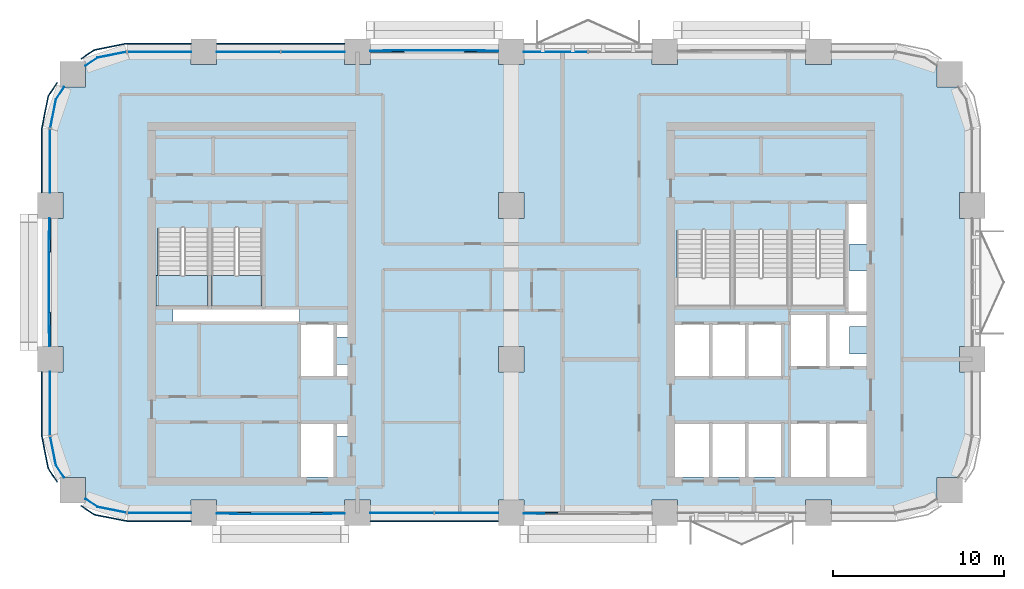
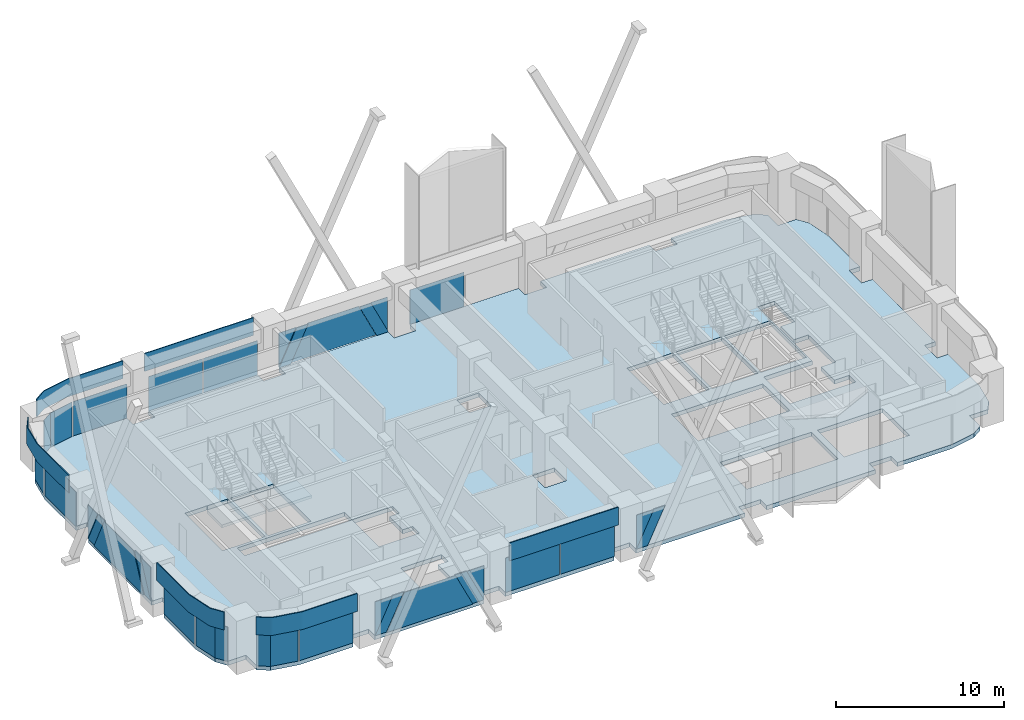
# One storey, part 7 of 14: 36 plates, 3 slabs, 13 elements without a shape of their own.
"""IFC4 building model written with IfcOpenShell, lengths in metres."""

from ifc_helpers import new_model, si_unit, direction, frame, origin, origin_2d, place, context, subcontext, project, spatial, polyline, rectangle, outline, extrude, material, layer, layer_set, type_object, element, aggregate, save


model = new_model("IFC4")

# Units and contexts
model_context = context("Model", 3, precision=1e-05, world=origin(), true_north=direction((0.0, 1.0)))
body_context = subcontext(model_context, "Body", "Model", "MODEL_VIEW")
ifc_project = project(units=[si_unit("LENGTHUNIT", "METRE"), si_unit("AREAUNIT", "SQUARE_METRE"), si_unit("VOLUMEUNIT", "CUBIC_METRE"), si_unit("PLANEANGLEUNIT", "RADIAN"), si_unit("MASSUNIT", "GRAM", prefix="KILO")], contexts=[model_context])

# Site, building, storey
site_placement = place(None, origin())
site = spatial("IfcSite", under=ifc_project, at=site_placement, CompositionType="ELEMENT")
building_placement = place(site_placement, origin())
building = spatial("IfcBuilding", under=site, at=building_placement, Name="Tessera Arch", CompositionType="ELEMENT")
storey_placement = place(building_placement, frame((0.0, 0.0, 150.5)))
storey = spatial("IfcBuildingStorey", under=building, at=storey_placement, Name="L35", CompositionType="ELEMENT", Elevation=150.5)

# Curtain wall, plate
ifc_material_1 = material(Name="CW1 curtain wall")
curtain_wall_type_1 = type_object("IfcCurtainWallType", Name="CW1 curtain wall", PredefinedType="NOTDEFINED", material=ifc_material_1)
curtain_wall_1_placement = place(storey_placement, origin())
curtain_wall_1 = element("IfcCurtainWall", 1, at=curtain_wall_1_placement, inside=storey, type_object=curtain_wall_type_1, Name="CW1 curtain wall N54.0/2 L35", PredefinedType="NOTDEFINED")
ifc_material_2 = material(Name="Clear low-e glass", Category="glass")
ifc_material_3 = material(Name="Clear low-e glass", Category="glass")
ifc_layer_1 = layer(ifc_material_3, 0.028076171875)
ifc_layer_set_1 = layer_set([ifc_layer_1], Name="CW1 glass panel")
plate_type_1 = type_object("IfcPlateType", Name="CW1 glass panel", PredefinedType="CURTAIN_PANEL", material=ifc_layer_set_1)
plate_1_placement = place(storey_placement, frame((29.610107421875, 54.0, 0.0), z_axis=(0.0, 0.0, 1.0), x_axis=(-1.0, 0.0, 0.0)))
plate_1 = element("IfcPlate", 2, at=plate_1_placement, type_object=plate_type_1, material=ifc_material_2, Name="CW1 glass panel N54.0/2 1.2.1", PredefinedType="CURTAIN_PANEL", context=body_context, shape_type="SweptSolid", body=[
    extrude(rectangle(XDim=3.719970703125, YDim=0.028076171875, at=origin_2d()), origin(), (0.0, 0.0, 1.0), 2.5),
])
aggregate(curtain_wall_1, [plate_1])

# Curtain wall, plates
curtain_wall_2_placement = place(storey_placement, origin())
curtain_wall_2 = element("IfcCurtainWall", 3, at=curtain_wall_2_placement, inside=storey, type_object=curtain_wall_type_1, Name="CW1 curtain wall N54.0/4 L35", PredefinedType="NOTDEFINED")
plate_2_placement = place(storey_placement, frame((15.389892578125, 54.0, 0.0), z_axis=(0.0, 0.0, 1.0), x_axis=(-1.0, 0.0, 0.0)))
plate_2 = element("IfcPlate", 4, at=plate_2_placement, type_object=plate_type_1, material=ifc_material_2, Name="CW1 glass panel N54.0/4 1.1.1", PredefinedType="CURTAIN_PANEL", context=body_context, shape_type="SweptSolid", body=[
    extrude(rectangle(XDim=3.719970703125, YDim=0.028076171875, at=origin_2d()), origin(), (0.0, 0.0, 1.0), 2.5),
])
plate_3_placement = place(storey_placement, frame((11.610107421875, 54.0, 0.0), z_axis=(0.0, 0.0, 1.0), x_axis=(-1.0, 0.0, 0.0)))
plate_3 = element("IfcPlate", 5, at=plate_3_placement, type_object=plate_type_1, material=ifc_material_2, Name="CW1 glass panel N54.0/4 1.2.1", PredefinedType="CURTAIN_PANEL", context=body_context, shape_type="SweptSolid", body=[
    extrude(rectangle(XDim=3.719970703125, YDim=0.028076171875, at=origin_2d()), origin(), (0.0, 0.0, 1.0), 2.5),
])

curtain_wall_3_placement = place(storey_placement, origin())
curtain_wall_3 = element("IfcCurtainWall", 6, at=curtain_wall_3_placement, inside=storey, type_object=curtain_wall_type_1, Name="CW1 curtain wall S27.0/2 L35", PredefinedType="NOTDEFINED")
plate_4_placement = place(storey_placement, frame((20.610107421875, 27.0, 0.0), z_axis=(0.0, 0.0, 1.0), x_axis=(1.0, 0.0, 0.0)))
plate_4 = element("IfcPlate", 7, at=plate_4_placement, type_object=plate_type_1, material=ifc_material_2, Name="CW1 glass panel S27.0/2 1.1.1", PredefinedType="CURTAIN_PANEL", context=body_context, shape_type="SweptSolid", body=[
    extrude(rectangle(XDim=3.719970703125, YDim=0.028076171875, at=origin_2d()), origin(), (0.0, 0.0, 1.0), 2.5),
])
plate_5_placement = place(storey_placement, frame((24.389892578125, 27.0, 0.0), z_axis=(0.0, 0.0, 1.0), x_axis=(1.0, 0.0, 0.0)))
plate_5 = element("IfcPlate", 8, at=plate_5_placement, type_object=plate_type_1, material=ifc_material_2, Name="CW1 glass panel S27.0/2 1.2.1", PredefinedType="CURTAIN_PANEL", context=body_context, shape_type="SweptSolid", body=[
    extrude(rectangle(XDim=3.719970703125, YDim=0.028076171875, at=origin_2d()), origin(), (0.0, 0.0, 1.0), 2.5),
])

# Plate
ifc_material_4 = material(Name="Pale anodised aluminium panel", Category="aluminium")
ifc_layer_2 = layer(ifc_material_4, 0.06005859375)
ifc_layer_set_2 = layer_set([ifc_layer_2], Name="CW1 spandrel panel")
plate_type_2 = type_object("IfcPlateType", Name="CW1 spandrel panel", PredefinedType="CURTAIN_PANEL", material=ifc_layer_set_2)
plate_6_placement = place(storey_placement, frame((13.5, 54.47998046875, 2.60009765625), z_axis=(0.0, 0.0, 1.0), x_axis=(-1.0, 0.0, 0.0)))
plate_6 = element("IfcPlate", 9, at=plate_6_placement, type_object=plate_type_2, Name="CW1 spandrel panel N54.0/4", PredefinedType="CURTAIN_PANEL", context=body_context, shape_type="SweptSolid", body=[
    extrude(rectangle(XDim=7.5, YDim=0.06005859375, at=origin_2d()), origin(), (0.0, 0.0, 1.0), 1.300048828125),
])

aggregate(curtain_wall_2, [plate_2, plate_3, plate_6])

plate_7_placement = place(storey_placement, frame((22.5, 26.52001953125, 2.60009765625), z_axis=(0.0, 0.0, 1.0), x_axis=(1.0, 0.0, 0.0)))
plate_7 = element("IfcPlate", 10, at=plate_7_placement, type_object=plate_type_2, Name="CW1 spandrel panel S27.0/2", PredefinedType="CURTAIN_PANEL", context=body_context, shape_type="SweptSolid", body=[
    extrude(rectangle(XDim=7.5, YDim=0.06005859375, at=origin_2d()), origin(), (0.0, 0.0, 1.0), 1.300048828125),
])

aggregate(curtain_wall_3, [plate_4, plate_5, plate_7])

# Curtain wall, plates
ifc_material_5 = material(Name="CW2 curtain wall")
curtain_wall_type_2 = type_object("IfcCurtainWallType", Name="CW2 curtain wall", PredefinedType="NOTDEFINED", material=ifc_material_5)
curtain_wall_4_placement = place(storey_placement, origin())
curtain_wall_4 = element("IfcCurtainWall", 11, at=curtain_wall_4_placement, inside=storey, type_object=curtain_wall_type_2, Name="CW2 curtain wall N54.0/5 L35", PredefinedType="NOTDEFINED")
ifc_material_6 = material(Name="Clear low-e glass", Category="glass")
ifc_layer_3 = layer(ifc_material_6, 0.028076171875)
ifc_layer_set_3 = layer_set([ifc_layer_3], Name="CW2 glass panel")
plate_type_3 = type_object("IfcPlateType", Name="CW2 glass panel", PredefinedType="CURTAIN_PANEL", material=ifc_layer_set_3)
plate_8_placement = place(storey_placement, frame((6.39501953125, 54.0, 0.0), z_axis=(0.0, 0.0, 1.0), x_axis=(-1.0, 0.0, 0.0)))
plate_8 = element("IfcPlate", 12, at=plate_8_placement, type_object=plate_type_3, material=ifc_material_2, Name="CW2 glass panel N54.0/5 1.1", PredefinedType="CURTAIN_PANEL", context=body_context, shape_type="SweptSolid", body=[
    extrude(rectangle(XDim=3.7099609375, YDim=0.028076171875, at=origin_2d()), origin(), (0.0, 0.0, 1.0), 2.5),
])
plate_9_placement = place(storey_placement, origin())
plate_9 = element("IfcPlate", 13, at=plate_9_placement, type_object=plate_type_3, material=ifc_material_2, Name="CW2 curved glass panel N54.0/5 2.1", PredefinedType="CURTAIN_PANEL", context=body_context, shape_type="SweptSolid", body=[
    extrude(outline(polyline([(2.783447265625, 53.644287109375), (4.46337890625, 53.978515625), (4.4580078125, 54.005859375), (2.7724609375, 53.670654296875), (2.060302734375, 53.19482421875), (2.07568359375, 53.17138671875), (2.783447265625, 53.644287109375)])), origin(), (0.0, 0.0, 1.0), 2.5),
])

curtain_wall_5_placement = place(storey_placement, origin())
curtain_wall_5 = element("IfcCurtainWall", 14, at=curtain_wall_5_placement, inside=storey, type_object=curtain_wall_type_2, Name="CW2 curtain wall W0.27/0 L35", PredefinedType="NOTDEFINED")
plate_10_placement = place(storey_placement, frame((0.0, 47.60498046875, 0.0), z_axis=(0.0, 0.0, 1.0), x_axis=(0.0, -1.0, 0.0)))
plate_10 = element("IfcPlate", 15, at=plate_10_placement, type_object=plate_type_3, material=ifc_material_2, Name="CW2 glass panel W0.27/0 1.1", PredefinedType="CURTAIN_PANEL", context=body_context, shape_type="SweptSolid", body=[
    extrude(rectangle(XDim=3.7099609375, YDim=0.028076171875, at=origin_2d()), origin(), (0.0, 0.0, 1.0), 2.5),
])
plate_11_placement = place(storey_placement, origin())
plate_11 = element("IfcPlate", 16, at=plate_11_placement, type_object=plate_type_3, material=ifc_material_2, Name="CW2 curved glass panel W0.27/0 2.1", PredefinedType="CURTAIN_PANEL", context=body_context, shape_type="SweptSolid", body=[
    extrude(outline(polyline([(0.355712890625, 51.216552734375), (0.82861328125, 51.92431640625), (0.80517578125, 51.939697265625), (0.329345703125, 51.2275390625), (-0.005859375, 49.5419921875), (0.021484375, 49.53662109375), (0.355712890625, 51.216552734375)])), origin(), (0.0, 0.0, 1.0), 2.5),
])

curtain_wall_6_placement = place(storey_placement, origin())
curtain_wall_6 = element("IfcCurtainWall", 17, at=curtain_wall_6_placement, inside=storey, type_object=curtain_wall_type_2, Name="CW2 curtain wall W0.27/2 L35", PredefinedType="NOTDEFINED")
plate_12_placement = place(storey_placement, frame((0.0, 33.39501953125, 0.0), z_axis=(0.0, 0.0, 1.0), x_axis=(0.0, -1.0, 0.0)))
plate_12 = element("IfcPlate", 18, at=plate_12_placement, type_object=plate_type_3, material=ifc_material_2, Name="CW2 glass panel W0.27/2 1.1", PredefinedType="CURTAIN_PANEL", context=body_context, shape_type="SweptSolid", body=[
    extrude(rectangle(XDim=3.7099609375, YDim=0.028076171875, at=origin_2d()), origin(), (0.0, 0.0, 1.0), 2.5),
])
plate_13_placement = place(storey_placement, origin())
plate_13 = element("IfcPlate", 19, at=plate_13_placement, type_object=plate_type_3, material=ifc_material_2, Name="CW2 curved glass panel W0.27/2 2.1", PredefinedType="CURTAIN_PANEL", context=body_context, shape_type="SweptSolid", body=[
    extrude(outline(polyline([(0.355712890625, 29.783447265625), (0.021484375, 31.46337890625), (-0.005859375, 31.4580078125), (0.329345703125, 29.7724609375), (0.80517578125, 29.060302734375), (0.82861328125, 29.07568359375), (0.355712890625, 29.783447265625)])), origin(), (0.0, 0.0, 1.0), 2.5),
])

curtain_wall_7_placement = place(storey_placement, origin())
curtain_wall_7 = element("IfcCurtainWall", 20, at=curtain_wall_7_placement, inside=storey, type_object=curtain_wall_type_2, Name="CW2 curtain wall S27.0/0 L35", PredefinedType="NOTDEFINED")
plate_14_placement = place(storey_placement, frame((6.39501953125, 27.0, 0.0), z_axis=(0.0, 0.0, 1.0), x_axis=(1.0, 0.0, 0.0)))
plate_14 = element("IfcPlate", 21, at=plate_14_placement, type_object=plate_type_3, material=ifc_material_2, Name="CW2 glass panel S27.0/0 1.1", PredefinedType="CURTAIN_PANEL", context=body_context, shape_type="SweptSolid", body=[
    extrude(rectangle(XDim=3.7099609375, YDim=0.028076171875, at=origin_2d()), origin(), (0.0, 0.0, 1.0), 2.5),
])
plate_15_placement = place(storey_placement, origin())
plate_15 = element("IfcPlate", 22, at=plate_15_placement, type_object=plate_type_3, material=ifc_material_2, Name="CW2 curved glass panel S27.0/0 2.1", PredefinedType="CURTAIN_PANEL", context=body_context, shape_type="SweptSolid", body=[
    extrude(outline(polyline([(2.783447265625, 27.355712890625), (2.07568359375, 27.82861328125), (2.060302734375, 27.80517578125), (2.7724609375, 27.329345703125), (4.4580078125, 26.994140625), (4.46337890625, 27.021484375), (2.783447265625, 27.355712890625)])), origin(), (0.0, 0.0, 1.0), 2.5),
])

# Plate
ifc_material_7 = material(Name="Pale anodised aluminium panel", Category="aluminium")
ifc_layer_4 = layer(ifc_material_7, 0.06005859375)
ifc_layer_set_4 = layer_set([ifc_layer_4], Name="CW2 spandrel panel")
plate_type_4 = type_object("IfcPlateType", Name="CW2 spandrel panel", PredefinedType="CURTAIN_PANEL", material=ifc_layer_set_4)
plate_16_placement = place(storey_placement, frame((0.0, 0.0, 2.60009765625)))
plate_16 = element("IfcPlate", 23, at=plate_16_placement, type_object=plate_type_4, Name="CW2 spandrel panel N54.0/5", PredefinedType="CURTAIN_PANEL", context=body_context, shape_type="SweptSolid", body=[
    extrude(outline(polyline([(4.500732421875, 54.449951171875), (8.25, 54.449951171875), (8.25, 54.510009765625), (4.499267578125, 54.510009765625), (4.449951171875, 54.507568359375), (4.401123046875, 54.500244140625), (2.677734375, 54.157470703125), (2.6298828125, 54.1455078125), (2.582763671875, 54.128662109375), (2.537353515625, 54.107421875), (2.4951171875, 54.08203125), (1.78466796875, 53.607177734375), (1.81787109375, 53.55712890625), (2.52734375, 54.03125), (2.565673828125, 54.054443359375), (2.605712890625, 54.0732421875), (2.647216796875, 54.088134765625), (2.69091796875, 54.09912109375), (4.411376953125, 54.441162109375), (4.455810546875, 54.44775390625), (4.500732421875, 54.449951171875)])), origin(), (0.0, 0.0, 1.0), 1.2998046875),
])

aggregate(curtain_wall_4, [plate_8, plate_9, plate_16])

plate_17_placement = place(storey_placement, frame((0.0, 0.0, 2.60009765625)))
plate_17 = element("IfcPlate", 24, at=plate_17_placement, type_object=plate_type_4, Name="CW2 spandrel panel W0.27/0", PredefinedType="CURTAIN_PANEL", context=body_context, shape_type="SweptSolid", body=[
    extrude(outline(polyline([(-0.03125, 51.47265625), (0.44287109375, 52.18212890625), (0.392822265625, 52.21533203125), (-0.08203125, 51.5048828125), (-0.107421875, 51.462646484375), (-0.128662109375, 51.417236328125), (-0.1455078125, 51.3701171875), (-0.157470703125, 51.322265625), (-0.500244140625, 49.598876953125), (-0.507568359375, 49.550048828125), (-0.510009765625, 49.500732421875), (-0.510009765625, 45.75), (-0.449951171875, 45.75), (-0.449951171875, 49.499267578125), (-0.44775390625, 49.544189453125), (-0.441162109375, 49.588623046875), (-0.09912109375, 51.30908203125), (-0.088134765625, 51.352783203125), (-0.0732421875, 51.394287109375), (-0.054443359375, 51.434326171875), (-0.03125, 51.47265625)])), origin(), (0.0, 0.0, 1.0), 1.2998046875),
])

aggregate(curtain_wall_5, [plate_10, plate_11, plate_17])

plate_18_placement = place(storey_placement, frame((0.0, 0.0, 2.60009765625)))
plate_18 = element("IfcPlate", 25, at=plate_18_placement, type_object=plate_type_4, Name="CW2 spandrel panel W0.27/2", PredefinedType="CURTAIN_PANEL", context=body_context, shape_type="SweptSolid", body=[
    extrude(outline(polyline([(-0.449951171875, 31.500732421875), (-0.449951171875, 35.25), (-0.510009765625, 35.25), (-0.510009765625, 31.499267578125), (-0.507568359375, 31.449951171875), (-0.500244140625, 31.401123046875), (-0.157470703125, 29.677734375), (-0.1455078125, 29.6298828125), (-0.128662109375, 29.582763671875), (-0.107421875, 29.537353515625), (-0.08203125, 29.4951171875), (0.392822265625, 28.78466796875), (0.44287109375, 28.81787109375), (-0.03125, 29.52734375), (-0.054443359375, 29.565673828125), (-0.0732421875, 29.605712890625), (-0.088134765625, 29.647216796875), (-0.09912109375, 29.69091796875), (-0.441162109375, 31.411376953125), (-0.44775390625, 31.455810546875), (-0.449951171875, 31.500732421875)])), origin(), (0.0, 0.0, 1.0), 1.2998046875),
])

aggregate(curtain_wall_6, [plate_12, plate_13, plate_18])

plate_19_placement = place(storey_placement, frame((0.0, 0.0, 2.60009765625)))
plate_19 = element("IfcPlate", 26, at=plate_19_placement, type_object=plate_type_4, Name="CW2 spandrel panel S27.0/0", PredefinedType="CURTAIN_PANEL", context=body_context, shape_type="SweptSolid", body=[
    extrude(outline(polyline([(2.52734375, 26.96875), (1.81787109375, 27.44287109375), (1.78466796875, 27.392822265625), (2.4951171875, 26.91796875), (2.537353515625, 26.892578125), (2.582763671875, 26.871337890625), (2.6298828125, 26.8544921875), (2.677734375, 26.842529296875), (4.401123046875, 26.499755859375), (4.449951171875, 26.492431640625), (4.499267578125, 26.489990234375), (8.25, 26.489990234375), (8.25, 26.550048828125), (4.500732421875, 26.550048828125), (4.455810546875, 26.55224609375), (4.411376953125, 26.558837890625), (2.69091796875, 26.90087890625), (2.647216796875, 26.911865234375), (2.605712890625, 26.9267578125), (2.565673828125, 26.945556640625), (2.52734375, 26.96875)])), origin(), (0.0, 0.0, 1.0), 1.2998046875),
])

aggregate(curtain_wall_7, [plate_14, plate_15, plate_19])

# Curtain wall, plates
ifc_material_8 = material(Name="CW3 curtain wall")
curtain_wall_type_3 = type_object("IfcCurtainWallType", Name="CW3 curtain wall", PredefinedType="NOTDEFINED", material=ifc_material_8)
curtain_wall_8_placement = place(storey_placement, origin())
curtain_wall_8 = element("IfcCurtainWall", 27, at=curtain_wall_8_placement, inside=storey, type_object=curtain_wall_type_3, Name="CW3 curtain wall N54.0/3 L35", PredefinedType="NOTDEFINED")
ifc_material_9 = material(Name="Pale anodised aluminium panel", Category="aluminium")
ifc_layer_5 = layer(ifc_material_9, 0.06005859375)
ifc_layer_set_5 = layer_set([ifc_layer_5], Name="CW3 diagonal panel")
plate_type_5 = type_object("IfcPlateType", Name="CW3 diagonal panel", PredefinedType="CURTAIN_PANEL", material=ifc_layer_set_5)
plate_20_placement = place(storey_placement, frame((18.75, 54.030029296875, 0.0), z_axis=(0.0, 1.0, 0.0), x_axis=(0.0, 0.0, 1.0)))
plate_20 = element("IfcPlate", 28, at=plate_20_placement, type_object=plate_type_5, Name="CW3 diagonal panel N54.0/3 1", PredefinedType="CURTAIN_PANEL", context=body_context, shape_type="SweptSolid", body=[
    extrude(outline(polyline([(0.0, 0.0), (0.032470703125, 0.0), (2.5, 1.186279296875), (2.5, 1.98681640625), (0.0, 0.784912109375), (0.0, 0.0)])), origin(), (0.0, 0.0, -1.0), 0.06005859375),
])
plate_21_placement = place(storey_placement, frame((24.26318359375, 54.030029296875, 2.5), z_axis=(0.0, 1.0, 0.0), x_axis=(1.0, 0.0, 0.0)))
plate_21 = element("IfcPlate", 29, at=plate_21_placement, type_object=plate_type_5, Name="CW3 diagonal panel N54.0/3 2", PredefinedType="CURTAIN_PANEL", context=body_context, shape_type="SweptSolid", body=[
    extrude(outline(polyline([(0.0, 0.0), (0.800537109375, 0.0), (1.98681640625, 2.467529296875), (1.98681640625, 2.5), (1.201904296875, 2.5), (0.0, 0.0)])), origin(), (0.0, 0.0, -1.0), 0.06005859375),
])

curtain_wall_9_placement = place(storey_placement, origin())
curtain_wall_9 = element("IfcCurtainWall", 30, at=curtain_wall_9_placement, inside=storey, type_object=curtain_wall_type_3, Name="CW3 curtain wall W0.27/1 L35", PredefinedType="NOTDEFINED")
plate_22_placement = place(storey_placement, frame((-0.030029296875, 36.75, 0.0), z_axis=(-1.0, 0.0, 0.0), x_axis=(0.0, 0.0, 1.0)))
plate_22 = element("IfcPlate", 31, at=plate_22_placement, type_object=plate_type_5, Name="CW3 diagonal panel W0.27/1 1", PredefinedType="CURTAIN_PANEL", context=body_context, shape_type="SweptSolid", body=[
    extrude(outline(polyline([(0.0, 0.0), (0.032470703125, 0.0), (2.5, 1.186279296875), (2.5, 1.98681640625), (0.0, 0.784912109375), (0.0, 0.0)])), origin(), (0.0, 0.0, -1.0), 0.06005859375),
])
plate_23_placement = place(storey_placement, frame((-0.030029296875, 42.26318359375, 2.5), z_axis=(-1.0, 0.0, 0.0), x_axis=(0.0, 1.0, 0.0)))
plate_23 = element("IfcPlate", 32, at=plate_23_placement, type_object=plate_type_5, Name="CW3 diagonal panel W0.27/1 2", PredefinedType="CURTAIN_PANEL", context=body_context, shape_type="SweptSolid", body=[
    extrude(outline(polyline([(0.0, 0.0), (0.800537109375, 0.0), (1.98681640625, 2.467529296875), (1.98681640625, 2.5), (1.201904296875, 2.5), (0.0, 0.0)])), origin(), (0.0, 0.0, -1.0), 0.06005859375),
])

curtain_wall_10_placement = place(storey_placement, origin())
curtain_wall_10 = element("IfcCurtainWall", 33, at=curtain_wall_10_placement, inside=storey, type_object=curtain_wall_type_3, Name="CW3 curtain wall S27.0/1 L35", PredefinedType="NOTDEFINED")
plate_24_placement = place(storey_placement, frame((17.25, 26.969970703125, 0.0), z_axis=(0.0, -1.0, 0.0), x_axis=(0.0, 0.0, 1.0)))
plate_24 = element("IfcPlate", 34, at=plate_24_placement, type_object=plate_type_5, Name="CW3 diagonal panel S27.0/1 1", PredefinedType="CURTAIN_PANEL", context=body_context, shape_type="SweptSolid", body=[
    extrude(outline(polyline([(0.0, 0.0), (0.032470703125, 0.0), (2.5, 1.186279296875), (2.5, 1.98681640625), (0.0, 0.784912109375), (0.0, 0.0)])), origin(), (0.0, 0.0, -1.0), 0.06005859375),
])
plate_25_placement = place(storey_placement, frame((11.73681640625, 26.969970703125, 2.5), z_axis=(0.0, -1.0, 0.0), x_axis=(-1.0, 0.0, 0.0)))
plate_25 = element("IfcPlate", 35, at=plate_25_placement, type_object=plate_type_5, Name="CW3 diagonal panel S27.0/1 2", PredefinedType="CURTAIN_PANEL", context=body_context, shape_type="SweptSolid", body=[
    extrude(outline(polyline([(0.0, 0.0), (0.800537109375, 0.0), (1.98681640625, 2.467529296875), (1.98681640625, 2.5), (1.201904296875, 2.5), (0.0, 0.0)])), origin(), (0.0, 0.0, -1.0), 0.06005859375),
])

# Curtain wall, plate
curtain_wall_11_placement = place(storey_placement, origin())
curtain_wall_11 = element("IfcCurtainWall", 36, at=curtain_wall_11_placement, inside=storey, type_object=curtain_wall_type_3, Name="CW3 curtain wall S27.0/3 L35", PredefinedType="NOTDEFINED")
plate_26_placement = place(storey_placement, frame((29.73681640625, 26.969970703125, 2.5), z_axis=(0.0, -1.0, 0.0), x_axis=(-1.0, 0.0, 0.0)))
plate_26 = element("IfcPlate", 37, at=plate_26_placement, type_object=plate_type_5, Name="CW3 diagonal panel S27.0/3 2", PredefinedType="CURTAIN_PANEL", context=body_context, shape_type="SweptSolid", body=[
    extrude(outline(polyline([(0.0, 0.0), (0.800537109375, 0.0), (1.98681640625, 2.467529296875), (1.98681640625, 2.5), (1.201904296875, 2.5), (0.0, 0.0)])), origin(), (0.0, 0.0, -1.0), 0.06005859375),
])

# Plate
ifc_material_10 = material(Name="Clear low-e glass", Category="glass")
ifc_layer_6 = layer(ifc_material_10, 0.028076171875)
ifc_layer_set_6 = layer_set([ifc_layer_6], Name="CW3 glass panel")
plate_type_6 = type_object("IfcPlateType", Name="CW3 glass panel", PredefinedType="CURTAIN_PANEL", material=ifc_layer_set_6)
plate_27_placement = place(storey_placement, frame((26.25, 54.05810546875, 2.5), z_axis=(0.0, 1.0, 0.0), x_axis=(0.0, 0.0, -1.0)))
plate_27 = element("IfcPlate", 38, at=plate_27_placement, type_object=plate_type_6, material=ifc_material_2, Name="CW3 triangulated glass panel N54.0/3 1", PredefinedType="CURTAIN_PANEL", context=body_context, shape_type="SweptSolid", body=[
    extrude(outline(polyline([(0.0, 0.0), (2.467529296875, 0.0), (0.0, 1.186279296875), (0.0, 0.0)])), origin(), (0.0, 0.0, -1.0), 0.028076171875),
])

plate_28_placement = place(storey_placement, frame((20.73681640625, 54.0859375, 2.5), z_axis=(0.0, 1.0, 0.0), x_axis=(1.0, 0.0, 0.0)))
plate_28 = element("IfcPlate", 39, at=plate_28_placement, type_object=plate_type_6, material=ifc_material_2, Name="CW3 triangulated glass panel N54.0/3 2", PredefinedType="CURTAIN_PANEL", context=body_context, shape_type="SweptSolid", body=[
    extrude(outline(polyline([(0.0, 0.0), (3.5263671875, 0.0), (4.728271484375, 2.5), (-1.201904296875, 2.5), (0.0, 0.0)])), origin(), (0.0, 0.0, -1.0), 0.028076171875),
])

plate_29_placement = place(storey_placement, frame((18.75, 54.05810546875, 2.5), z_axis=(0.0, 1.0, 0.0), x_axis=(1.0, 0.0, 0.0)))
plate_29 = element("IfcPlate", 40, at=plate_29_placement, type_object=plate_type_6, material=ifc_material_2, Name="CW3 triangulated glass panel N54.0/3 3", PredefinedType="CURTAIN_PANEL", context=body_context, shape_type="SweptSolid", body=[
    extrude(outline(polyline([(0.0, 0.0), (1.186279296875, 0.0), (0.0, 2.467529296875), (0.0, 0.0)])), origin(), (0.0, 0.0, -1.0), 0.028076171875),
])

aggregate(curtain_wall_8, [plate_27, plate_28, plate_29, plate_20, plate_21])

plate_30_placement = place(storey_placement, frame((-0.05810546875, 44.25, 2.5), z_axis=(-1.0, 0.0, 0.0), x_axis=(0.0, 0.0, -1.0)))
plate_30 = element("IfcPlate", 41, at=plate_30_placement, type_object=plate_type_6, material=ifc_material_2, Name="CW3 triangulated glass panel W0.27/1 1", PredefinedType="CURTAIN_PANEL", context=body_context, shape_type="SweptSolid", body=[
    extrude(outline(polyline([(0.0, 0.0), (2.467529296875, 0.0), (0.0, 1.186279296875), (0.0, 0.0)])), origin(), (0.0, 0.0, -1.0), 0.028076171875),
])

plate_31_placement = place(storey_placement, frame((-0.0859375, 38.73681640625, 2.5), z_axis=(-1.0, 0.0, 0.0), x_axis=(0.0, 1.0, 0.0)))
plate_31 = element("IfcPlate", 42, at=plate_31_placement, type_object=plate_type_6, material=ifc_material_2, Name="CW3 triangulated glass panel W0.27/1 2", PredefinedType="CURTAIN_PANEL", context=body_context, shape_type="SweptSolid", body=[
    extrude(outline(polyline([(0.0, 0.0), (3.5263671875, 0.0), (4.728271484375, 2.5), (-1.201904296875, 2.5), (0.0, 0.0)])), origin(), (0.0, 0.0, -1.0), 0.028076171875),
])

plate_32_placement = place(storey_placement, frame((-0.05810546875, 36.75, 2.5), z_axis=(-1.0, 0.0, 0.0), x_axis=(0.0, 1.0, 0.0)))
plate_32 = element("IfcPlate", 43, at=plate_32_placement, type_object=plate_type_6, material=ifc_material_2, Name="CW3 triangulated glass panel W0.27/1 3", PredefinedType="CURTAIN_PANEL", context=body_context, shape_type="SweptSolid", body=[
    extrude(outline(polyline([(0.0, 0.0), (1.186279296875, 0.0), (0.0, 2.467529296875), (0.0, 0.0)])), origin(), (0.0, 0.0, -1.0), 0.028076171875),
])

aggregate(curtain_wall_9, [plate_30, plate_31, plate_32, plate_22, plate_23])

plate_33_placement = place(storey_placement, frame((9.75, 26.94189453125, 2.5), z_axis=(0.0, -1.0, 0.0), x_axis=(0.0, 0.0, -1.0)))
plate_33 = element("IfcPlate", 44, at=plate_33_placement, type_object=plate_type_6, material=ifc_material_2, Name="CW3 triangulated glass panel S27.0/1 1", PredefinedType="CURTAIN_PANEL", context=body_context, shape_type="SweptSolid", body=[
    extrude(outline(polyline([(0.0, 0.0), (2.467529296875, 0.0), (0.0, 1.186279296875), (0.0, 0.0)])), origin(), (0.0, 0.0, -1.0), 0.028076171875),
])

plate_34_placement = place(storey_placement, frame((15.26318359375, 26.9140625, 2.5), z_axis=(0.0, -1.0, 0.0), x_axis=(-1.0, 0.0, 0.0)))
plate_34 = element("IfcPlate", 45, at=plate_34_placement, type_object=plate_type_6, material=ifc_material_2, Name="CW3 triangulated glass panel S27.0/1 2", PredefinedType="CURTAIN_PANEL", context=body_context, shape_type="SweptSolid", body=[
    extrude(outline(polyline([(0.0, 0.0), (3.5263671875, 0.0), (4.728271484375, 2.5), (-1.201904296875, 2.5), (0.0, 0.0)])), origin(), (0.0, 0.0, -1.0), 0.028076171875),
])

plate_35_placement = place(storey_placement, frame((17.25, 26.94189453125, 2.5), z_axis=(0.0, -1.0, 0.0), x_axis=(-1.0, 0.0, 0.0)))
plate_35 = element("IfcPlate", 46, at=plate_35_placement, type_object=plate_type_6, material=ifc_material_2, Name="CW3 triangulated glass panel S27.0/1 3", PredefinedType="CURTAIN_PANEL", context=body_context, shape_type="SweptSolid", body=[
    extrude(outline(polyline([(0.0, 0.0), (1.186279296875, 0.0), (0.0, 2.467529296875), (0.0, 0.0)])), origin(), (0.0, 0.0, -1.0), 0.028076171875),
])

aggregate(curtain_wall_10, [plate_33, plate_34, plate_35, plate_24, plate_25])

plate_36_placement = place(storey_placement, frame((27.75, 26.94189453125, 2.5), z_axis=(0.0, -1.0, 0.0), x_axis=(0.0, 0.0, -1.0)))
plate_36 = element("IfcPlate", 47, at=plate_36_placement, type_object=plate_type_6, material=ifc_material_2, Name="CW3 triangulated glass panel S27.0/3 1", PredefinedType="CURTAIN_PANEL", context=body_context, shape_type="SweptSolid", body=[
    extrude(outline(polyline([(0.0, 0.0), (2.467529296875, 0.0), (0.0, 1.186279296875), (0.0, 0.0)])), origin(), (0.0, 0.0, -1.0), 0.028076171875),
])

aggregate(curtain_wall_11, [plate_36, plate_26])

# Slab
ifc_material_11 = material(Name="Concrete C40/50", Category="concrete")
ifc_layer_7 = layer(ifc_material_11, 0.300048828125)
ifc_layer_set_7 = layer_set([ifc_layer_7], Name="Floor slab 300 Concrete C40/50")
slab_type_1 = type_object("IfcSlabType", Name="Floor slab 300 Concrete C40/50", PredefinedType="FLOOR", material=ifc_layer_set_7)
slab_1_placement = place(storey_placement, frame((0.0, 0.0, -0.300048828125)))
element("IfcSlab", 48, at=slab_1_placement, inside=storey, type_object=slab_type_1, Name="Floor slab L35 1", PredefinedType="FLOOR", context=body_context, shape_type="SweptSolid", body=[
    extrude(outline(polyline([(54.0, 31.5), (53.657470703125, 29.77783203125), (53.18310546875, 29.068115234375), (51.931884765625, 29.068115234375), (51.931884765625, 27.81689453125), (51.22216796875, 27.342529296875), (49.5, 27.0), (45.75, 27.0), (45.75, 27.75), (44.25, 27.75), (44.25, 27.0), (36.75, 27.0), (36.75, 27.75), (35.25, 27.75), (35.25, 27.0), (27.75, 27.0), (27.75, 27.75), (26.25, 27.75), (26.25, 27.0), (18.75, 27.0), (18.75, 27.75), (17.25, 27.75), (17.25, 27.0), (9.75, 27.0), (9.75, 27.75), (8.25, 27.75), (8.25, 27.0), (4.5, 27.0), (2.77783203125, 27.342529296875), (2.068115234375, 27.81689453125), (2.068115234375, 29.068115234375), (0.81689453125, 29.068115234375), (0.342529296875, 29.77783203125), (0.0, 31.5), (0.0, 35.25), (0.75, 35.25), (0.75, 36.75), (0.0, 36.75), (0.0, 44.25), (0.75, 44.25), (0.75, 45.75), (0.0, 45.75), (0.0, 49.5), (0.342529296875, 51.22216796875), (0.81689453125, 51.931884765625), (2.068115234375, 51.931884765625), (2.068115234375, 53.18310546875), (2.77783203125, 53.657470703125), (4.5, 54.0), (8.25, 54.0), (8.25, 53.25), (9.75, 53.25), (9.75, 54.0), (17.25, 54.0), (17.25, 53.25), (18.75, 53.25), (18.75, 54.0), (26.25, 54.0), (26.25, 53.25), (27.75, 53.25), (27.75, 54.0), (35.25, 54.0), (35.25, 53.25), (36.75, 53.25), (36.75, 54.0), (44.25, 54.0), (44.25, 53.25), (45.75, 53.25), (45.75, 54.0), (49.5, 54.0), (51.22216796875, 53.657470703125), (51.931884765625, 53.18310546875), (51.931884765625, 51.931884765625), (53.18310546875, 51.931884765625), (53.657470703125, 51.22216796875), (54.0, 49.5), (54.0, 45.75), (53.25, 45.75), (53.25, 44.25), (54.0, 44.25), (54.0, 36.75), (53.25, 36.75), (53.25, 35.25), (54.0, 35.25), (54.0, 31.5)]), holes=[polyline([(14.60009765625, 29.10009765625), (16.699951171875, 29.10009765625), (16.699951171875, 31.5), (17.39990234375, 31.5), (17.39990234375, 32.300048828125), (16.699951171875, 32.300048828125), (14.60009765625, 32.300048828125), (14.60009765625, 29.10009765625)]), polyline([(26.25, 36.75), (26.25, 35.25), (27.75, 35.25), (27.75, 36.75), (26.25, 36.75)]), polyline([(17.39990234375, 37.300048828125), (17.39990234375, 38.10009765625), (16.699951171875, 38.10009765625), (14.60498046875, 38.10009765625), (14.60498046875, 38.10498046875), (14.60009765625, 38.10498046875), (14.60009765625, 39.0), (7.199951171875, 39.0), (7.199951171875, 38.10009765625), (14.594970703125, 38.10009765625), (14.594970703125, 38.094970703125), (14.60009765625, 38.094970703125), (14.60009765625, 34.89990234375), (16.699951171875, 34.89990234375), (17.39990234375, 34.89990234375), (17.39990234375, 35.699951171875), (16.699951171875, 35.699951171875), (16.699951171875, 37.300048828125), (17.39990234375, 37.300048828125)]), polyline([(6.300048828125, 43.68994140625), (6.300048828125, 39.199951171875), (9.25, 39.199951171875), (9.25, 43.68994140625), (7.85009765625, 43.68994140625), (7.85009765625, 43.699951171875), (7.699951171875, 43.699951171875), (7.699951171875, 43.68994140625), (6.300048828125, 43.68994140625)]), polyline([(9.449951171875, 39.199951171875), (12.39990234375, 39.199951171875), (12.39990234375, 43.68994140625), (11.0, 43.68994140625), (11.0, 43.699951171875), (10.85009765625, 43.699951171875), (10.85009765625, 43.68994140625), (9.449951171875, 43.68994140625), (9.449951171875, 39.199951171875)]), polyline([(38.699951171875, 29.10009765625), (40.800048828125, 29.10009765625), (42.89990234375, 29.10009765625), (42.89990234375, 32.300048828125), (40.800048828125, 32.300048828125), (38.699951171875, 32.300048828125), (36.60009765625, 32.300048828125), (36.60009765625, 29.10009765625), (38.699951171875, 29.10009765625)]), polyline([(45.550048828125, 32.300048828125), (43.300048828125, 32.300048828125), (43.300048828125, 29.10009765625), (45.550048828125, 29.10009765625), (47.800048828125, 29.10009765625), (47.800048828125, 32.300048828125), (45.550048828125, 32.300048828125)]), polyline([(40.800048828125, 34.89990234375), (42.89990234375, 34.89990234375), (42.89990234375, 38.10009765625), (40.800048828125, 38.10009765625), (38.699951171875, 38.10009765625), (36.60009765625, 38.10009765625), (36.60009765625, 34.89990234375), (38.699951171875, 34.89990234375), (40.800048828125, 34.89990234375)]), polyline([(47.800048828125, 42.75), (47.800048828125, 45.199951171875), (46.64990234375, 45.199951171875), (46.64990234375, 38.699951171875), (45.550048828125, 38.699951171875), (43.300048828125, 38.699951171875), (43.300048828125, 35.5), (45.550048828125, 35.5), (47.800048828125, 35.5), (47.800048828125, 36.300048828125), (46.800048828125, 36.300048828125), (46.800048828125, 37.89990234375), (47.800048828125, 37.89990234375), (47.800048828125, 38.699951171875), (47.800048828125, 41.14990234375), (46.800048828125, 41.14990234375), (46.800048828125, 42.75), (47.800048828125, 42.75)]), polyline([(36.699951171875, 39.199951171875), (39.85009765625, 39.199951171875), (39.85009765625, 43.570068359375), (38.330078125, 43.570068359375), (38.330078125, 43.580078125), (38.219970703125, 43.580078125), (38.219970703125, 43.570068359375), (36.699951171875, 43.570068359375), (36.699951171875, 39.199951171875)]), polyline([(40.050048828125, 39.199951171875), (43.199951171875, 39.199951171875), (43.199951171875, 43.570068359375), (41.679931640625, 43.570068359375), (41.679931640625, 43.580078125), (41.570068359375, 43.580078125), (41.570068359375, 43.570068359375), (40.050048828125, 43.570068359375), (40.050048828125, 39.199951171875)]), polyline([(43.39990234375, 43.570068359375), (43.39990234375, 39.199951171875), (46.550048828125, 39.199951171875), (46.550048828125, 43.570068359375), (45.030029296875, 43.570068359375), (45.030029296875, 43.580078125), (44.919921875, 43.580078125), (44.919921875, 43.570068359375), (43.39990234375, 43.570068359375)]), polyline([(26.25, 45.75), (26.25, 44.25), (27.75, 44.25), (27.75, 45.75), (26.25, 45.75)])]), origin(), (0.0, 0.0, 1.0), 0.300048828125),
])

# Stair, slab
ifc_material_12 = material(Name="Concrete C40/50", Category="concrete")
stair_type = type_object("IfcStairType", Name="Dogleg stair 1400", PredefinedType="HALF_TURN_STAIR", material=ifc_material_12)
stair_1_placement = place(storey_placement, origin())
stair_1 = element("IfcStair", 49, at=stair_1_placement, inside=storey, type_object=stair_type, Name="L35 S2a", PredefinedType="HALF_TURN_STAIR")
ifc_material_13 = material(Name="Concrete C40/50", Category="concrete")
ifc_layer_8 = layer(ifc_material_13, 0.300048828125)
ifc_layer_set_8 = layer_set([ifc_layer_8], Name="Stair landing 300")
slab_type_2 = type_object("IfcSlabType", Name="Stair landing 300", PredefinedType="LANDING", material=ifc_layer_set_8)
slab_2_placement = place(storey_placement, frame((0.0, 0.0, 1.75)))
slab_2 = element("IfcSlab", 50, at=slab_2_placement, type_object=slab_type_2, Name="S2a landing 1", PredefinedType="LANDING", context=body_context, shape_type="SweptSolid", body=[
    extrude(outline(polyline([(6.199951171875, 40.89990234375), (6.199951171875, 39.10009765625), (9.25, 39.10009765625), (9.25, 40.89990234375), (6.199951171875, 40.89990234375)])), origin(), (0.0, 0.0, 1.0), 0.199951171875),
])
aggregate(stair_1, [slab_2])

stair_2_placement = place(storey_placement, origin())
stair_2 = element("IfcStair", 51, at=stair_2_placement, inside=storey, type_object=stair_type, Name="L35 S2b", PredefinedType="HALF_TURN_STAIR")
slab_3_placement = place(storey_placement, frame((0.0, 0.0, 1.75)))
slab_3 = element("IfcSlab", 52, at=slab_3_placement, type_object=slab_type_2, Name="S2b landing 1", PredefinedType="LANDING", context=body_context, shape_type="SweptSolid", body=[
    extrude(outline(polyline([(9.449951171875, 40.89990234375), (9.449951171875, 39.10009765625), (12.39990234375, 39.10009765625), (12.39990234375, 40.89990234375), (9.449951171875, 40.89990234375)])), origin(), (0.0, 0.0, 1.0), 0.199951171875),
])
aggregate(stair_2, [slab_3])

save(model, "model.ifc")
